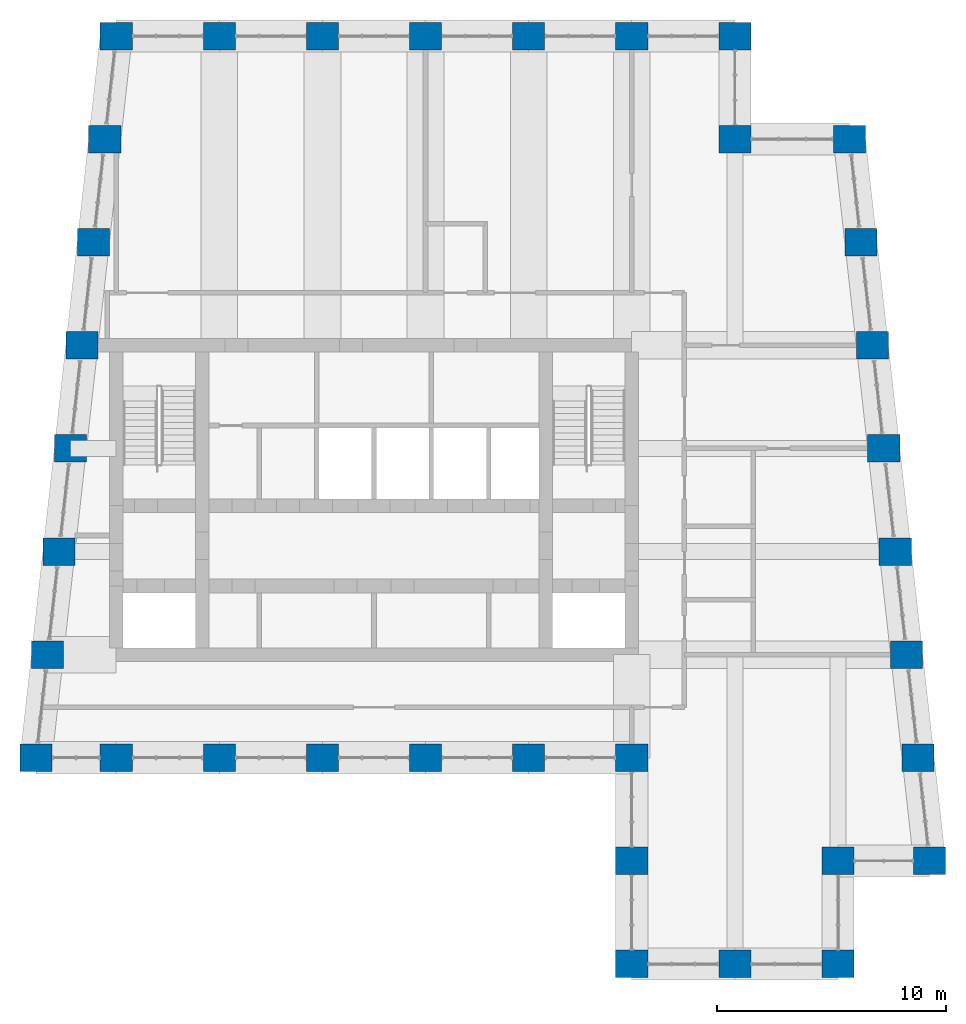
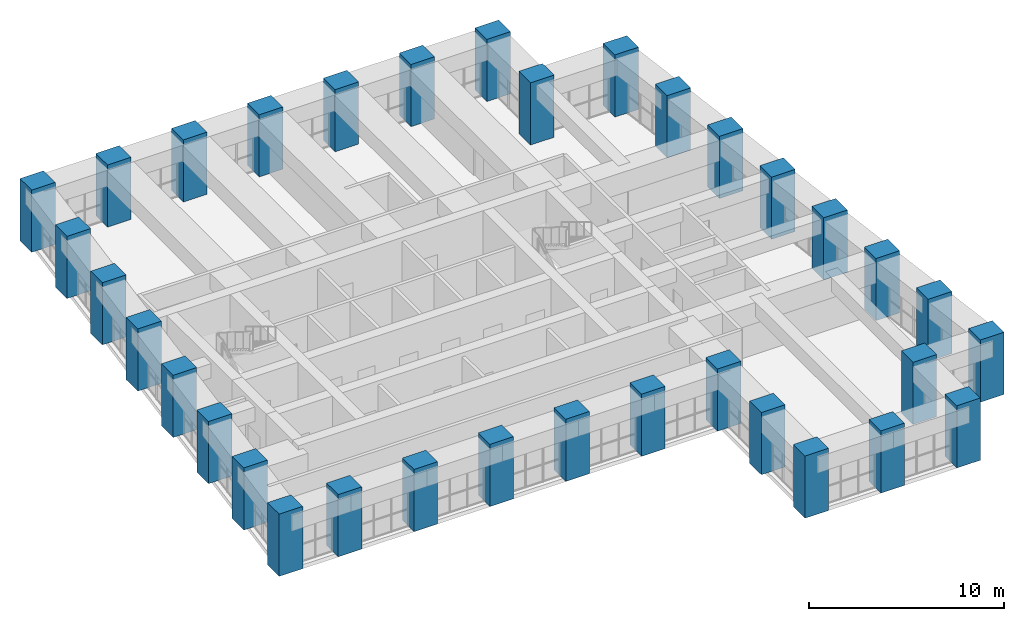
# One storey, part 1 of 18: 34 columns.
"""IFC4 building model written with IfcOpenShell, lengths in metres."""

import ifcopenshell
import ifcopenshell.guid

model = None  # the IFC model being written
_history = None  # IfcOwnerHistory: only IFC2X3 demands one
_inside = {}  # id of a spatial element -> (the spatial element, [elements in it])
_under = {}  # id of a project, library or spatial element -> (it, [spatial elements below it])
_declared = {}  # id of a project -> (the project, [libraries it declares])
_typed = {}  # id of a type object -> (the type object, [elements of that type])
_made_of = {}  # id of a material, layer set ... -> (it, [elements and type objects made of it])


def new_model(schema):
    """Start an empty IFC model of exactly this schema.

    Asked for "IFC4X3", IfcOpenShell would pick the latest addendum, in which some entities
    have other attributes; the version numbers below select the first issue.
    IFC2X3 requires an IfcOwnerHistory on every rooted entity: one is made here for all.
    """
    global model, _history
    if schema == "IFC4X3":
        model = ifcopenshell.file(schema_version=(4, 3, 0, 0))
    else:
        model = ifcopenshell.file(schema=schema)
    _inside.clear()
    _under.clear()
    _declared.clear()
    _typed.clear()
    _made_of.clear()
    _history = None
    if model.schema == "IFC2X3":
        org = make("IfcOrganization", Name="unknown")
        user = make(
            "IfcPersonAndOrganization",
            ThePerson=make("IfcPerson", FamilyName="unknown"),
            TheOrganization=org,
        )
        app = make(
            "IfcApplication",
            ApplicationDeveloper=org,
            Version="unknown",
            ApplicationFullName="unknown",
            ApplicationIdentifier="unknown",
        )
        _history = make(
            "IfcOwnerHistory",
            OwningUser=user,
            OwningApplication=app,
            ChangeAction="ADDED",
            CreationDate=0,
        )
    return model


def make(cls, **values):
    """One entity of the class cls with the attributes given. An attribute that is None is left unset."""
    return model.create_entity(
        cls, **{name: value for name, value in values.items() if value is not None}
    )


def rooted(cls, **values):
    """An entity with a GlobalId (a new one), such as an element, a storey or a relation."""
    return make(cls, GlobalId=ifcopenshell.guid.new(), OwnerHistory=_history, **values)


def si_unit(unit_type, name, prefix=None):
    """IfcSIUnit, for example si_unit("LENGTHUNIT", "METRE", prefix="MILLI")."""
    return make("IfcSIUnit", UnitType=unit_type, Prefix=prefix, Name=name)


def assignment(units):
    """IfcUnitAssignment: the units of a project."""
    return None if units is None else make("IfcUnitAssignment", Units=units)


def point(xyz):
    """IfcCartesianPoint."""
    return None if xyz is None else make("IfcCartesianPoint", Coordinates=xyz)


def direction(xyz):
    """IfcDirection."""
    return None if xyz is None else make("IfcDirection", DirectionRatios=xyz)


def frame(location, z_axis=None, x_axis=None):
    """IfcAxis2Placement3D, a coordinate frame: its origin and axes. An axis left out is left unset."""
    return make(
        "IfcAxis2Placement3D",
        Location=point(location),
        Axis=direction(z_axis),
        RefDirection=direction(x_axis),
    )


def frame_2d(location, x_axis=None):
    """IfcAxis2Placement2D, a coordinate frame in the plane: its origin and x axis."""
    return make(
        "IfcAxis2Placement2D", Location=point(location), RefDirection=direction(x_axis)
    )


def origin():
    """The frame at (0, 0, 0) with its axes left unset."""
    return frame((0.0, 0.0, 0.0))


def origin_2d():
    """The frame at (0, 0) in the plane with its x axis left unset."""
    return frame_2d((0.0, 0.0))


def place(relative_to, where):
    """IfcLocalPlacement: puts the frame where relative to a parent placement (None: the world)."""
    return make(
        "IfcLocalPlacement", PlacementRelTo=relative_to, RelativePlacement=where
    )


def context(
    kind, dimensions, precision=None, world=None, true_north=None, identifier=None
):
    """IfcGeometricRepresentationContext, for example the 3D "Model" context."""
    return make(
        "IfcGeometricRepresentationContext",
        ContextIdentifier=identifier,
        ContextType=kind,
        CoordinateSpaceDimension=dimensions,
        Precision=precision,
        WorldCoordinateSystem=world,
        TrueNorth=true_north,
    )


def subcontext(parent, identifier, kind, view, scale=None):
    """IfcGeometricRepresentationSubContext, for example "Body" below "Model"."""
    return make(
        "IfcGeometricRepresentationSubContext",
        ContextIdentifier=identifier,
        ContextType=kind,
        ParentContext=parent,
        TargetScale=scale,
        TargetView=view,
    )


def project(units=None, contexts=None):
    """IfcProject with its units and contexts."""
    return rooted(
        "IfcProject",
        Name="project",
        RepresentationContexts=contexts,
        UnitsInContext=assignment(units),
    )


def spatial(cls, under=None, at=None, **own):
    """A site, building, storey or space (cls), placed at a placement, below another one or the project."""
    s = rooted(cls, ObjectPlacement=at, **own)
    if under is not None:
        _under.setdefault(under.id(), (under, []))[1].append(s)
    return s


def profile(cls, at=None, kind="AREA", **sizes):
    """A parametric profile (cls). Its sizes go by their IFC names, for example OverallWidth=200.0."""
    return make(cls, ProfileType=kind, Position=at, **sizes)


def rectangle(**sizes):
    """IfcRectangleProfileDef."""
    return profile("IfcRectangleProfileDef", **sizes)


def extrude(swept, where, along, depth):
    """IfcExtrudedAreaSolid: the profile swept, set in the frame where, extruded along a direction by depth."""
    return make(
        "IfcExtrudedAreaSolid",
        SweptArea=swept,
        Position=where,
        ExtrudedDirection=direction(along),
        Depth=depth,
    )


def shape(context_of_items, identifier, shape_type, items):
    """IfcShapeRepresentation: the items that make up one representation, for example the "Body"."""
    return make(
        "IfcShapeRepresentation",
        ContextOfItems=context_of_items,
        RepresentationIdentifier=identifier,
        RepresentationType=shape_type,
        Items=items,
    )


def material(Name=None, Category=None):
    """IfcMaterial."""
    return make("IfcMaterial", Name=Name, Category=Category)


def material_profile(
    of_material, cross_section, Name=None, Category=None, Priority=None
):
    """IfcMaterialProfile: a cross section and its material."""
    return make(
        "IfcMaterialProfile",
        Name=Name,
        Material=of_material,
        Profile=cross_section,
        Priority=Priority,
        Category=Category,
    )


def profile_set(profiles, Name=None, composite=None):
    """IfcMaterialProfileSet."""
    return make(
        "IfcMaterialProfileSet",
        Name=Name,
        MaterialProfiles=profiles,
        CompositeProfile=composite,
    )


def made_of(thing, what):
    """Note that an element or type object is made of a material, layer set ...; save() writes the relation."""
    if what is not None:
        _made_of.setdefault(what.id(), (what, []))[1].append(thing)
    return thing


def type_object(cls, material=None, **own):
    """A type object (cls), such as IfcWallType, which elements share."""
    return made_of(rooted(cls, **own), material)


def element(
    cls,
    number,
    at=None,
    inside=None,
    cuts=None,
    type_object=None,
    material=None,
    context=None,
    identifier="Body",
    shape_type=None,
    held_by="IfcProductDefinitionShape",
    body=None,
    shapes=None,
    **own,
):
    """One element of the class cls, such as IfcWall. Its Tag is "e" and its number.

    at: its placement. inside: the storey or other place that contains it. cuts: it is an
    opening in that element (IfcRelVoidsElement). A single representation is given by context,
    identifier, shape_type and body (its items); several are given by shapes. held_by: the class
    of the entity that holds the representations. save() writes the other relations.
    """
    e = rooted(cls, Tag="e%d" % number, ObjectPlacement=at, **own)
    if body is not None:
        shapes = [shape(context, identifier, shape_type, body)]
    if shapes is not None:
        e.Representation = make(held_by, Representations=shapes)
    if inside is not None:
        _inside.setdefault(inside.id(), (inside, []))[1].append(e)
    if cuts is not None:
        rooted(
            "IfcRelVoidsElement", RelatingBuildingElement=cuts, RelatedOpeningElement=e
        )
    if type_object is not None:
        _typed.setdefault(type_object.id(), (type_object, []))[1].append(e)
    return made_of(e, material)


def aggregate(whole, parts):
    """IfcRelAggregates: a whole, such as a stair, and the parts it consists of."""
    return rooted("IfcRelAggregates", RelatingObject=whole, RelatedObjects=parts)


def save(model, path):
    """Write the relations noted so far, then the file.

    IfcRelAggregates (storeys below a building ...), IfcRelContainedInSpatialStructure (elements
    in a storey), IfcRelDefinesByType, IfcRelAssociatesMaterial and IfcRelDeclares: one each for
    every whole, place, type object, material and project.
    """
    for whole, parts in _under.values():
        aggregate(whole, parts)
    for where, things in _inside.values():
        rooted(
            "IfcRelContainedInSpatialStructure",
            RelatedElements=things,
            RelatingStructure=where,
        )
    for kind, things in _typed.values():
        rooted("IfcRelDefinesByType", RelatedObjects=things, RelatingType=kind)
    for what, things in _made_of.values():
        rooted("IfcRelAssociatesMaterial", RelatedObjects=things, RelatingMaterial=what)
    for by, libraries in _declared.values():
        rooted("IfcRelDeclares", RelatingContext=by, RelatedDefinitions=libraries)
    model.write(path)


model = new_model("IFC4")

# Units and contexts
model_context = context("Model", 3, precision=1e-05, world=origin(), true_north=direction((0.0, 1.0)))
body_context = subcontext(model_context, "Body", "Model", "MODEL_VIEW")
ifc_project = project(units=[si_unit("LENGTHUNIT", "METRE"), si_unit("AREAUNIT", "SQUARE_METRE"), si_unit("VOLUMEUNIT", "CUBIC_METRE"), si_unit("PLANEANGLEUNIT", "RADIAN"), si_unit("MASSUNIT", "GRAM", prefix="KILO")], contexts=[model_context])

# Site, building, storey
site_placement = place(None, origin())
site = spatial("IfcSite", under=ifc_project, at=site_placement, CompositionType="ELEMENT")
building_placement = place(site_placement, origin())
building = spatial("IfcBuilding", under=site, at=building_placement, Name="Kilele Tower Hotel", CompositionType="ELEMENT")
storey_placement = place(building_placement, frame((0.0, 0.0, 281.89990234375)))
storey = spatial("IfcBuildingStorey", under=building, at=storey_placement, Name="L72", CompositionType="ELEMENT", Elevation=281.89990234375)

# Columns
ifc_material = material(Name="Concrete C60/75", Category="concrete")
ifc_material_profile = material_profile(ifc_material, rectangle(XDim=1.39990234375, YDim=1.199951171875, at=origin_2d()))
ifc_profile_set = profile_set([ifc_material_profile], Name="Concrete C60/75")
column_type = type_object("IfcColumnType", Name="Tube column RC 1400x1200 C60/75", PredefinedType="COLUMN", material=ifc_profile_set)
for number, where, z_axis, x_axis, name in (
    (1, (10.0, 9.0, 0.0), (0.0, 0.0, 1.0), (1.0, 0.0, 0.0), "Column TC5 L72"),
    (2, (13.5, 9.0, 0.0), (0.0, 0.0, 1.0), (1.0, 0.0, 0.0), "Column TC5 L72"),
    (3, (18.0, 9.0, 0.0), (0.0, 0.0, 1.0), (1.0, 0.0, 0.0), "Column TC5 L72"),
    (4, (22.5, 9.0, 0.0), (0.0, 0.0, 1.0), (1.0, 0.0, 0.0), "Column TC5 L72"),
    (5, (27.0, 9.0, 0.0), (0.0, 0.0, 1.0), (1.0, 0.0, 0.0), "Column TC5 L72"),
    (6, (31.5, 9.0, 0.0), (0.0, 0.0, 1.0), (1.0, 0.0, 0.0), "Column TC5 L72"),
    (7, (36.0, 9.0, 0.0), (0.0, 0.0, 1.0), (1.0, 0.0, 0.0), "Column TC5 L72"),
    (8, (36.0, 4.5, 0.0), (0.0, 0.0, 1.0), (1.0, 0.0, 0.0), "Column TC5 L72"),
    (9, (36.0, 0.0, 0.0), (0.0, 0.0, 1.0), (1.0, 0.0, 0.0), "Column TC5 L72"),
    (10, (40.5, 0.0, 0.0), (0.0, 0.0, 1.0), (1.0, 0.0, 0.0), "Column TC5 L72"),
    (11, (45.0, 0.0, 0.0), (0.0, 0.0, 1.0), (1.0, 0.0, 0.0), "Column TC5 L72"),
    (12, (45.0, 4.5, 0.0), (0.0, 0.0, 1.0), (1.0, 0.0, 0.0), "Column TC5 L72"),
    (13, (49.0, 4.5, 0.0), (0.0, 0.0, 1.0), (1.0, 0.0, 0.0), "Column TC5 L72"),
    (14, (48.5, 9.0, 0.0), (0.0, 0.0, 1.0), (1.0, 0.0, 0.0), "Column TC5 L72"),
    (15, (48.0, 13.5, 0.0), (0.0, 0.0, 1.0), (1.0, 0.0, 0.0), "Column TC5 L72"),
    (16, (47.5, 18.0, 0.0), (0.0, 0.0, 1.0), (1.0, 0.0, 0.0), "Column TC5 L72"),
    (17, (47.0, 22.5, 0.0), (0.0, 0.0, 1.0), (1.0, 0.0, 0.0), "Column TC5 L72"),
    (18, (46.5, 27.0, 0.0), (0.0, 0.0, 1.0), (1.0, 0.0, 0.0), "Column TC5 L72"),
    (19, (46.0, 31.5, 0.0), (0.0, 0.0, 1.0), (1.0, 0.0, 0.0), "Column TC5 L72"),
    (20, (45.5, 36.0, 0.0), (0.0, 0.0, 1.0), (1.0, 0.0, 0.0), "Column TC5 L72"),
    (21, (40.5, 36.0, 0.0), (0.0, 0.0, 1.0), (1.0, 0.0, 0.0), "Column TC5 L72"),
    (22, (40.5, 40.5, 0.0), (0.0, 0.0, 1.0), (1.0, 0.0, 0.0), "Column TC5 L72"),
    (23, (36.0, 40.5, 0.0), (0.0, 0.0, 1.0), (1.0, 0.0, 0.0), "Column TC5 L72"),
    (24, (31.5, 40.5, 0.0), (0.0, 0.0, 1.0), (1.0, 0.0, 0.0), "Column TC5 L72"),
    (25, (27.0, 40.5, 0.0), (0.0, 0.0, 1.0), (1.0, 0.0, 0.0), "Column TC5 L72"),
    (26, (22.5, 40.5, 0.0), (0.0, 0.0, 1.0), (1.0, 0.0, 0.0), "Column TC5 L72"),
    (27, (18.0, 40.5, 0.0), (0.0, 0.0, 1.0), (1.0, 0.0, 0.0), "Column TC5 L72"),
    (28, (13.5, 40.5, 0.0), (0.0, 0.0, 1.0), (1.0, 0.0, 0.0), "Column TC5 L72"),
    (29, (13.0, 36.0, 0.0), (0.0, 0.0, 1.0), (1.0, 0.0, 0.0), "Column TC5 L72"),
    (30, (12.5, 31.5, 0.0), (0.0, 0.0, 1.0), (1.0, 0.0, 0.0), "Column TC5 L72"),
    (31, (12.0, 27.0, 0.0), (0.0, 0.0, 1.0), (1.0, 0.0, 0.0), "Column TC5 L72"),
    (32, (11.5, 22.5, 0.0), (0.0, 0.0, 1.0), (1.0, 0.0, 0.0), "Column TC5 L72"),
    (33, (11.0, 18.0, 0.0), (0.0, 0.0, 1.0), (1.0, 0.0, 0.0), "Column TC5 L72"),
    (34, (10.5, 13.5, 0.0), (0.0, 0.0, 1.0), (1.0, 0.0, 0.0), "Column TC5 L72"),
):
    element("IfcColumn", number, at=place(storey_placement, frame(where, z_axis=z_axis, x_axis=x_axis)), inside=storey, type_object=column_type, Name=name, PredefinedType="COLUMN", context=body_context, shape_type="SweptSolid", body=[
        extrude(rectangle(XDim=1.39990234375, YDim=1.199951171875, at=origin_2d()), origin(), (0.0, 0.0, 1.0), 3.900146484375),
    ])

save(model, "model.ifc")
